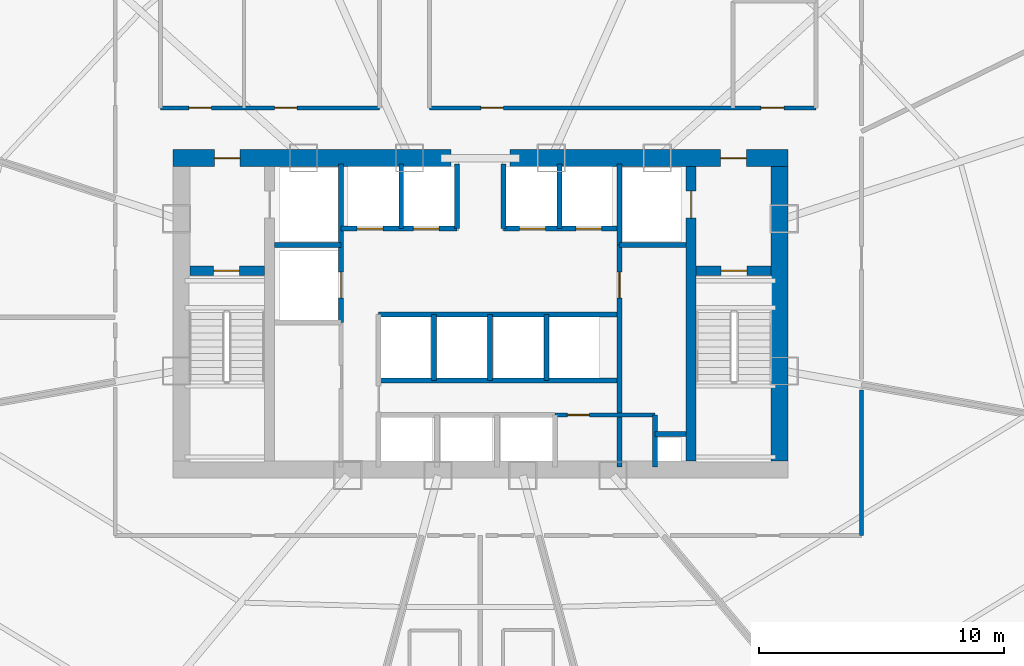
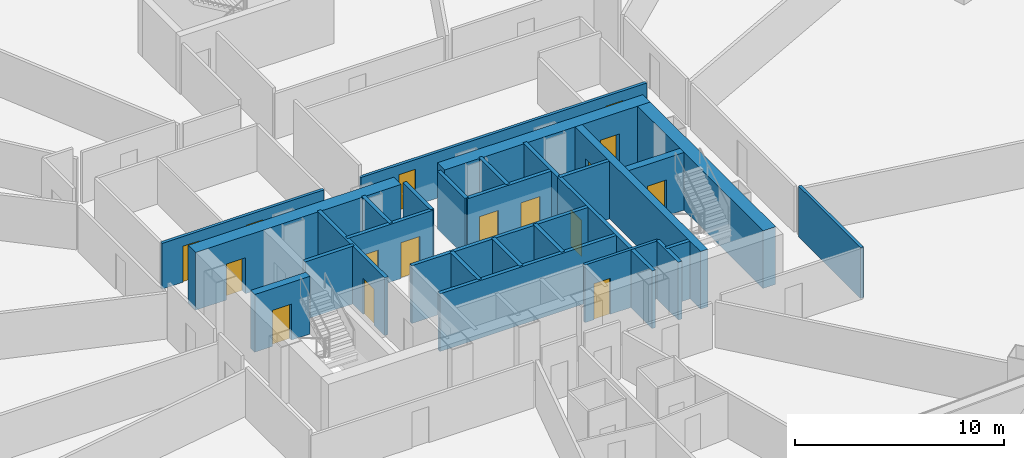
# One storey, part 31 of 38: 28 walls, 16 doors, 16 openings.
"""IFC4 building model written with IfcOpenShell, lengths in metres."""

from ifc_helpers import new_model, si_unit, direction, frame, frame_2d, origin, origin_with_axes, place, context, subcontext, project, spatial, rectangle, extrude, source, transform, mapped, material, layer, layer_set, type_object, element, fill, save


model = new_model("IFC4")

# Units and contexts
model_context = context("Model", 3, precision=1e-05, world=origin(), true_north=direction((0.0, 1.0)))
body_context = subcontext(model_context, "Body", "Model", "MODEL_VIEW")
ifc_project = project(units=[si_unit("LENGTHUNIT", "METRE"), si_unit("AREAUNIT", "SQUARE_METRE"), si_unit("VOLUMEUNIT", "CUBIC_METRE"), si_unit("PLANEANGLEUNIT", "RADIAN"), si_unit("MASSUNIT", "GRAM", prefix="KILO"), si_unit("THERMODYNAMICTEMPERATUREUNIT", "KELVIN"), si_unit("POWERUNIT", "WATT")], contexts=[model_context])

# Site, building, storey
site_placement = place(None, origin())
site = spatial("IfcSite", under=ifc_project, at=site_placement, CompositionType="ELEMENT")
building_placement = place(site_placement, origin())
building = spatial("IfcBuilding", under=site, at=building_placement, Name="Yunzhuo Pagoda Commons", CompositionType="ELEMENT")
storey_placement = place(building_placement, frame((0.0, 0.0, 30.39990234375)))
storey = spatial("IfcBuildingStorey", under=building, at=storey_placement, Name="L07", CompositionType="ELEMENT", Elevation=30.39990234375)

# Wall, opening, door
ifc_material_1 = material(Name="Concrete C60", Category="concrete")
ifc_layer_1 = layer(ifc_material_1, 0.699951171875)
ifc_layer_set_1 = layer_set([ifc_layer_1], Name="Concrete C60")
wall_type_1 = type_object("IfcWallType", Name="W-C01 Lower Core Shear Wall 700", PredefinedType="SHEAR", material=ifc_layer_set_1)
wall_1_placement = place(storey_placement, frame((35.449951171875, 40.199951171875, 0.0), z_axis=(0.0, 0.0, 1.0), x_axis=(1.0, 0.0, 0.0)))
wall_1 = element("IfcWall", 1, at=wall_1_placement, inside=storey, type_object=wall_type_1, Name="L07 core shear wall NW", PredefinedType="SHEAR", context=body_context, shape_type="SweptSolid", body=[
    extrude(rectangle(XDim=11.35009765625, YDim=0.699951171875, at=frame_2d((5.675048828125, 0.0))), origin(), (0.0, 0.0, 1.0), 3.3701171875),
])
opening_1_placement = place(wall_1_placement, frame((1.699951171875, 0.0, 0.0)))
opening_1 = element("IfcOpeningElement", 2, at=opening_1_placement, cuts=wall_1, Name="Opening D-02", PredefinedType="OPENING", context=body_context, shape_type="SweptSolid", body=[
    extrude(rectangle(XDim=1.050048828125, YDim=2.10009765625, at=frame_2d((0.52490234375, 1.050048828125))), frame((0.0, 0.35986328125, 0.0), z_axis=(0.0, -1.0, 0.0), x_axis=(1.0, 0.0, 0.0)), (0.0, 0.0, 1.0), 0.719970703125),
])
ifc_material_2 = material(Name="Galvanized fire-resisting metal leaf")
door_type_1 = type_object("IfcDoorType", Name="D-02 Firefighting Lobby & Refuge Fire Door 1050x2100", OperationType="NOTDEFINED", PredefinedType="DOOR", material=ifc_material_2)
shared_shape_1 = source(origin(), body_context, "Body", "SweptSolid", [
    extrude(rectangle(XDim=1.050048828125, YDim=2.10009765625, at=frame_2d((0.52490234375, 1.050048828125))), frame((0.0, 0.02490234375, 0.0), z_axis=(0.0, -1.0, 0.0), x_axis=(1.0, 0.0, 0.0)), (0.0, 0.0, 1.0), 0.050048828125),
])
door_1_placement = place(opening_1_placement, frame((1.050048828125, 0.0, 0.0), z_axis=(0.0, 0.0, 1.0), x_axis=(-1.0, 0.0, 0.0)))
door_1 = element("IfcDoor", 3, at=door_1_placement, inside=storey, type_object=door_type_1, Name="L07 Firefighting Lobby 1 fire door", OperationType="SINGLE_SWING_LEFT", OverallHeight=2.10009765625, OverallWidth=1.050048828125, PredefinedType="DOOR", context=body_context, shape_type="MappedRepresentation", body=[
    mapped(shared_shape_1, transform((0.0, 0.0, 0.0), scale=1.0)),
])
fill(opening_1, door_1)

wall_2_placement = place(storey_placement, frame((49.199951171875, 40.199951171875, 0.0), z_axis=(0.0, 0.0, 1.0), x_axis=(1.0, 0.0, 0.0)))
wall_2 = element("IfcWall", 4, at=wall_2_placement, inside=storey, type_object=wall_type_1, Name="L07 core shear wall NE", PredefinedType="SHEAR", context=body_context, shape_type="SweptSolid", body=[
    extrude(rectangle(XDim=11.35009765625, YDim=0.699951171875, at=frame_2d((5.675048828125, 0.0))), origin(), (0.0, 0.0, 1.0), 3.3701171875),
])
opening_2_placement = place(wall_2_placement, frame((8.60009765625, 0.0, 0.0)))
opening_2 = element("IfcOpeningElement", 5, at=opening_2_placement, cuts=wall_2, Name="Opening D-02", PredefinedType="OPENING", context=body_context, shape_type="SweptSolid", body=[
    extrude(rectangle(XDim=1.050048828125, YDim=2.10009765625, at=frame_2d((0.52490234375, 1.050048828125))), frame((0.0, 0.35986328125, 0.0), z_axis=(0.0, -1.0, 0.0), x_axis=(1.0, 0.0, 0.0)), (0.0, 0.0, 1.0), 0.719970703125),
])
door_2_placement = place(opening_2_placement, frame((1.050048828125, 0.0, 0.0), z_axis=(0.0, 0.0, 1.0), x_axis=(-1.0, 0.0, 0.0)))
door_2 = element("IfcDoor", 6, at=door_2_placement, inside=storey, type_object=door_type_1, Name="L07 Firefighting Lobby 2 fire door", OperationType="SINGLE_SWING_RIGHT", OverallHeight=2.10009765625, OverallWidth=1.050048828125, PredefinedType="DOOR", context=body_context, shape_type="MappedRepresentation", body=[
    mapped(shared_shape_1, transform((0.0, 0.0, 0.0), scale=1.0)),
])
fill(opening_2, door_2)

# Wall
wall_3_placement = place(storey_placement, frame((60.199951171875, 27.85009765625, 0.0), z_axis=(0.0, 0.0, 1.0), x_axis=(0.0, 1.0, 0.0)))
element("IfcWall", 7, at=wall_3_placement, inside=storey, type_object=wall_type_1, Name="L07 core shear wall E", PredefinedType="SHEAR", context=body_context, shape_type="SweptSolid", body=[
    extrude(rectangle(XDim=12.0, YDim=0.699951171875, at=frame_2d((6.0, 0.0))), origin(), (0.0, 0.0, 1.0), 3.3701171875),
])

# Wall, opening, door
ifc_material_3 = material(Name="Gypsum plasterboard on acoustic stud")
ifc_layer_2 = layer(ifc_material_3, 0.159912109375)
ifc_layer_set_2 = layer_set([ifc_layer_2], Name="Gypsum plasterboard on acoustic stud")
wall_type_2 = type_object("IfcWallType", Name="W-COR1 Tower Rated Corridor Wall 160", PredefinedType="PARTITIONING", material=ifc_layer_set_2)
wall_4_placement = place(storey_placement, frame((51.050048828125, 29.719970703125, 0.0), z_axis=(0.0, 0.0, 1.0), x_axis=(1.0, 0.0, 0.0)))
wall_4 = element("IfcWall", 8, at=wall_4_placement, inside=storey, type_object=wall_type_2, Name="L07 interior wall IW-L07-CSES", PredefinedType="PARTITIONING", context=body_context, shape_type="SweptSolid", body=[
    extrude(rectangle(XDim=4.070068359375, YDim=0.159912109375, at=frame_2d((2.03515625, 0.0))), origin(), (0.0, 0.0, 1.0), 3.3701171875),
])
opening_3_placement = place(wall_4_placement, frame((0.5, 0.0, 0.0)))
opening_3 = element("IfcOpeningElement", 9, at=opening_3_placement, cuts=wall_4, Name="Opening D-03", PredefinedType="OPENING", context=body_context, shape_type="SweptSolid", body=[
    extrude(rectangle(XDim=0.89990234375, YDim=2.10009765625, at=frame_2d((0.449951171875, 1.050048828125))), frame((0.0, 0.08984375, 0.0), z_axis=(0.0, -1.0, 0.0), x_axis=(1.0, 0.0, 0.0)), (0.0, 0.0, 1.0), 0.179931640625),
])
door_type_2 = type_object("IfcDoorType", Name="D-03 Core Service Fire Door 900x2100", OperationType="NOTDEFINED", PredefinedType="DOOR", material=ifc_material_2)
shared_shape_2 = source(origin(), body_context, "Body", "SweptSolid", [
    extrude(rectangle(XDim=0.89990234375, YDim=2.10009765625, at=frame_2d((0.449951171875, 1.050048828125))), frame((0.0, 0.02490234375, 0.0), z_axis=(0.0, -1.0, 0.0), x_axis=(1.0, 0.0, 0.0)), (0.0, 0.0, 1.0), 0.050048828125),
])
door_3_placement = place(opening_3_placement, origin_with_axes())
door_3 = element("IfcDoor", 10, at=door_3_placement, inside=storey, type_object=door_type_2, Name="L07 cleaner store door", OperationType="SINGLE_SWING_LEFT", OverallHeight=2.10009765625, OverallWidth=0.89990234375, PredefinedType="DOOR", context=body_context, shape_type="MappedRepresentation", body=[
    mapped(shared_shape_2, transform((0.0, 0.0, 0.0), scale=1.0)),
])
fill(opening_3, door_3)

# Wall, openings, doors
wall_5_placement = place(storey_placement, frame((34.949951171875, 42.25, 0.0), z_axis=(0.0, 0.0, 1.0), x_axis=(1.0, 0.0, 0.0)))
wall_5 = element("IfcWall", 11, at=wall_5_placement, inside=storey, type_object=wall_type_2, Name="L07 interior wall IW-L07-ISLWS", PredefinedType="PARTITIONING", context=body_context, shape_type="SweptSolid", body=[
    extrude(rectangle(XDim=8.929931640625, YDim=0.159912109375, at=frame_2d((4.46484375, 0.0))), origin(), (0.0, 0.0, 1.0), 2.670166015625),
])
opening_4_placement = place(wall_5_placement, frame((1.14990234375, 0.0, 0.0)))
opening_4 = element("IfcOpeningElement", 12, at=opening_4_placement, cuts=wall_5, Name="Opening D-04", PredefinedType="OPENING", context=body_context, shape_type="SweptSolid", body=[
    extrude(rectangle(XDim=0.919921875, YDim=2.10009765625, at=frame_2d((0.4599609375, 1.050048828125))), frame((0.0, 0.08984375, 0.0), z_axis=(0.0, -1.0, 0.0), x_axis=(1.0, 0.0, 0.0)), (0.0, 0.0, 1.0), 0.179931640625),
])
opening_5_placement = place(wall_5_placement, frame((4.64990234375, 0.0, 0.0)))
opening_5 = element("IfcOpeningElement", 13, at=opening_5_placement, cuts=wall_5, Name="Opening D-04", PredefinedType="OPENING", context=body_context, shape_type="SweptSolid", body=[
    extrude(rectangle(XDim=0.919921875, YDim=2.10009765625, at=frame_2d((0.4599609375, 1.050048828125))), frame((0.0, 0.08984375, 0.0), z_axis=(0.0, -1.0, 0.0), x_axis=(1.0, 0.0, 0.0)), (0.0, 0.0, 1.0), 0.179931640625),
])
ifc_material_4 = material(Name="Powder-coated aluminium and timber acoustic leaf", Category="wood")
door_type_3 = type_object("IfcDoorType", Name="D-04 Bedroom & Study Interior Door 920x2100", OperationType="NOTDEFINED", PredefinedType="DOOR", material=ifc_material_4)
shared_shape_3 = source(origin(), body_context, "Body", "SweptSolid", [
    extrude(rectangle(XDim=0.919921875, YDim=2.10009765625, at=frame_2d((0.4599609375, 1.050048828125))), frame((0.0, 0.02490234375, 0.0), z_axis=(0.0, -1.0, 0.0), x_axis=(1.0, 0.0, 0.0)), (0.0, 0.0, 1.0), 0.050048828125),
])
door_4_placement = place(opening_4_placement, frame((0.919921875, 0.0, 0.0), z_axis=(0.0, 0.0, 1.0), x_axis=(-1.0, 0.0, 0.0)))
door_4 = element("IfcDoor", 14, at=door_4_placement, inside=storey, type_object=door_type_3, Name="L07 laundry door", OperationType="SINGLE_SWING_LEFT", OverallHeight=2.10009765625, OverallWidth=0.919921875, PredefinedType="DOOR", context=body_context, shape_type="MappedRepresentation", body=[
    mapped(shared_shape_3, transform((0.0, 0.0, 0.0), scale=1.0)),
])
fill(opening_4, door_4)
door_5_placement = place(opening_5_placement, frame((0.919921875, 0.0, 0.0), z_axis=(0.0, 0.0, 1.0), x_axis=(-1.0, 0.0, 0.0)))
door_5 = element("IfcDoor", 15, at=door_5_placement, inside=storey, type_object=door_type_3, Name="L07 study commons W door", OperationType="SINGLE_SWING_RIGHT", OverallHeight=2.10009765625, OverallWidth=0.919921875, PredefinedType="DOOR", context=body_context, shape_type="MappedRepresentation", body=[
    mapped(shared_shape_3, transform((0.0, 0.0, 0.0), scale=1.0)),
])
fill(opening_5, door_5)

wall_6_placement = place(storey_placement, frame((45.919921875, 42.25, 0.0), z_axis=(0.0, 0.0, 1.0), x_axis=(1.0, 0.0, 0.0)))
wall_6 = element("IfcWall", 16, at=wall_6_placement, inside=storey, type_object=wall_type_2, Name="L07 interior wall IW-L07-ISLES", PredefinedType="PARTITIONING", context=body_context, shape_type="SweptSolid", body=[
    extrude(rectangle(XDim=15.780029296875, YDim=0.159912109375, at=frame_2d((7.89013671875, 0.0))), origin(), (0.0, 0.0, 1.0), 2.670166015625),
])
opening_6_placement = place(wall_6_placement, frame((2.10009765625, 0.0, 0.0)))
opening_6 = element("IfcOpeningElement", 17, at=opening_6_placement, cuts=wall_6, Name="Opening D-04", PredefinedType="OPENING", context=body_context, shape_type="SweptSolid", body=[
    extrude(rectangle(XDim=0.919921875, YDim=2.10009765625, at=frame_2d((0.4599609375, 1.050048828125))), frame((0.0, 0.08984375, 0.0), z_axis=(0.0, -1.0, 0.0), x_axis=(1.0, 0.0, 0.0)), (0.0, 0.0, 1.0), 0.179931640625),
])
opening_7_placement = place(wall_6_placement, frame((13.530029296875, 0.0, 0.0)))
opening_7 = element("IfcOpeningElement", 18, at=opening_7_placement, cuts=wall_6, Name="Opening D-11", PredefinedType="OPENING", context=body_context, shape_type="SweptSolid", body=[
    extrude(rectangle(XDim=0.93994140625, YDim=2.10009765625, at=frame_2d((0.469970703125, 1.050048828125))), frame((0.0, 0.08984375, 0.0), z_axis=(0.0, -1.0, 0.0), x_axis=(1.0, 0.0, 0.0)), (0.0, 0.0, 1.0), 0.179931640625),
])
door_type_4 = type_object("IfcDoorType", Name="D-11 Accessible Washroom Fire Door 940x2100", OperationType="NOTDEFINED", PredefinedType="DOOR", material=ifc_material_2)
shared_shape_4 = source(origin(), body_context, "Body", "SweptSolid", [
    extrude(rectangle(XDim=0.93994140625, YDim=2.10009765625, at=frame_2d((0.469970703125, 1.050048828125))), frame((0.0, 0.02490234375, 0.0), z_axis=(0.0, -1.0, 0.0), x_axis=(1.0, 0.0, 0.0)), (0.0, 0.0, 1.0), 0.050048828125),
])
door_6_placement = place(opening_7_placement, frame((0.93994140625, 0.0, 0.0), z_axis=(0.0, 0.0, 1.0), x_axis=(-1.0, 0.0, 0.0)))
door_6 = element("IfcDoor", 19, at=door_6_placement, inside=storey, type_object=door_type_4, Name="L07 accessible WC door", OperationType="SINGLE_SWING_RIGHT", OverallHeight=2.10009765625, OverallWidth=0.93994140625, PredefinedType="DOOR", context=body_context, shape_type="MappedRepresentation", body=[
    mapped(shared_shape_4, transform((0.0, 0.0, 0.0), scale=1.0)),
])
fill(opening_7, door_6)
door_7_placement = place(opening_6_placement, frame((0.919921875, 0.0, 0.0), z_axis=(0.0, 0.0, 1.0), x_axis=(-1.0, 0.0, 0.0)))
door_7 = element("IfcDoor", 20, at=door_7_placement, inside=storey, type_object=door_type_3, Name="L07 reading commons door", OperationType="SINGLE_SWING_LEFT", OverallHeight=2.10009765625, OverallWidth=0.919921875, PredefinedType="DOOR", context=body_context, shape_type="MappedRepresentation", body=[
    mapped(shared_shape_3, transform((0.0, 0.0, 0.0), scale=1.0)),
])
fill(opening_6, door_7)

# Wall
wall_7_placement = place(storey_placement, frame((63.550048828125, 30.734619140625, 0.0), z_axis=(0.0, 0.0, 1.0), x_axis=(0.0, -1.0, 0.0)))
element("IfcWall", 21, at=wall_7_placement, inside=storey, type_object=wall_type_2, Name="L07 interior wall IW-L07-CWL16", PredefinedType="PARTITIONING", context=body_context, shape_type="SweptSolid", body=[
    extrude(rectangle(XDim=5.9345703125, YDim=0.159912109375, at=frame_2d((2.96728515625, 0.0))), origin(), (0.0, 0.0, 1.0), 2.97021484375),
])

# Wall, opening, door
ifc_layer_3 = layer(ifc_material_1, 0.39990234375)
ifc_layer_set_3 = layer_set([ifc_layer_3], Name="Concrete C60")
wall_type_3 = type_object("IfcWallType", Name="W-S01 Internal Core Shear Web 400", PredefinedType="SHEAR", material=ifc_layer_set_3)
wall_8_placement = place(storey_placement, frame((56.60009765625, 27.85009765625, 0.0), z_axis=(0.0, 0.0, 1.0), x_axis=(0.0, 1.0, 0.0)))
wall_8 = element("IfcWall", 22, at=wall_8_placement, inside=storey, type_object=wall_type_3, Name="L07 core shear wall WEBE", PredefinedType="SHEAR", context=body_context, shape_type="SweptSolid", body=[
    extrude(rectangle(XDim=12.0, YDim=0.39990234375, at=frame_2d((6.0, 0.0))), origin(), (0.0, 0.0, 1.0), 3.3701171875),
])
opening_8_placement = place(wall_8_placement, frame((9.89990234375, 0.0, 0.0)))
opening_8 = element("IfcOpeningElement", 23, at=opening_8_placement, cuts=wall_8, Name="Opening LD-01", PredefinedType="OPENING", context=body_context, shape_type="SweptSolid", body=[
    extrude(rectangle(XDim=1.10009765625, YDim=2.10009765625, at=frame_2d((0.550048828125, 1.050048828125))), frame((0.0, 0.2099609375, 0.0), z_axis=(0.0, -1.0, 0.0), x_axis=(1.0, 0.0, 0.0)), (0.0, 0.0, 1.0), 0.419921875),
])
door_type_5 = type_object("IfcDoorType", Name="LD-01 Firefighting Lift Landing Door 1100x2100", OperationType="DOUBLE_DOOR_SLIDING", PredefinedType="DOOR", material=ifc_material_2)
shared_shape_5 = source(origin(), body_context, "Body", "SweptSolid", [
    extrude(rectangle(XDim=1.10009765625, YDim=2.10009765625, at=frame_2d((0.550048828125, 1.050048828125))), frame((0.0, 0.02490234375, 0.0), z_axis=(0.0, -1.0, 0.0), x_axis=(1.0, 0.0, 0.0)), (0.0, 0.0, 1.0), 0.050048828125),
])
door_8_placement = place(opening_8_placement, origin_with_axes())
door_8 = element("IfcDoor", 24, at=door_8_placement, inside=storey, type_object=door_type_5, Name="L07 Firefighting lift FL-2 landing door", OperationType="DOUBLE_DOOR_SLIDING", OverallHeight=2.10009765625, OverallWidth=1.10009765625, PredefinedType="DOOR", context=body_context, shape_type="MappedRepresentation", body=[
    mapped(shared_shape_5, transform((0.0, 0.0, 0.0), scale=1.0)),
])
fill(opening_8, door_8)

wall_9_placement = place(storey_placement, frame((36.14990234375, 35.60009765625, 0.0), z_axis=(0.0, 0.0, 1.0), x_axis=(1.0, 0.0, 0.0)))
wall_9 = element("IfcWall", 25, at=wall_9_placement, inside=storey, type_object=wall_type_3, Name="L07 core shear wall STW", PredefinedType="SHEAR", context=body_context, shape_type="SweptSolid", body=[
    extrude(rectangle(XDim=3.050048828125, YDim=0.39990234375, at=frame_2d((1.52490234375, 0.0))), origin(), (0.0, 0.0, 1.0), 3.3701171875),
])
opening_9_placement = place(wall_9_placement, frame((0.969970703125, 0.0, 0.0)))
opening_9 = element("IfcOpeningElement", 26, at=opening_9_placement, cuts=wall_9, Name="Opening D-01", PredefinedType="OPENING", context=body_context, shape_type="SweptSolid", body=[
    extrude(rectangle(XDim=1.050048828125, YDim=2.10009765625, at=frame_2d((0.52490234375, 1.050048828125))), frame((0.0, 0.2099609375, 0.0), z_axis=(0.0, -1.0, 0.0), x_axis=(1.0, 0.0, 0.0)), (0.0, 0.0, 1.0), 0.419921875),
])
door_type_6 = type_object("IfcDoorType", Name="D-01 Smokeproof Stair Fire Door 1050x2100", OperationType="NOTDEFINED", PredefinedType="DOOR", material=ifc_material_2)
door_9_placement = place(opening_9_placement, frame((1.050048828125, 0.0, 0.0), z_axis=(0.0, 0.0, 1.0), x_axis=(-1.0, 0.0, 0.0)))
door_9 = element("IfcDoor", 27, at=door_9_placement, inside=storey, type_object=door_type_6, Name="L07 Stair ST1 fire door", OperationType="SINGLE_SWING_LEFT", OverallHeight=2.10009765625, OverallWidth=1.050048828125, PredefinedType="DOOR", context=body_context, shape_type="MappedRepresentation", body=[
    mapped(shared_shape_1, transform((0.0, 0.0, 0.0), scale=1.0)),
])
fill(opening_9, door_9)

wall_10_placement = place(storey_placement, frame((56.800048828125, 35.60009765625, 0.0), z_axis=(0.0, 0.0, 1.0), x_axis=(1.0, 0.0, 0.0)))
wall_10 = element("IfcWall", 28, at=wall_10_placement, inside=storey, type_object=wall_type_3, Name="L07 core shear wall STE", PredefinedType="SHEAR", context=body_context, shape_type="SweptSolid", body=[
    extrude(rectangle(XDim=3.050048828125, YDim=0.39990234375, at=frame_2d((1.52490234375, 0.0))), origin(), (0.0, 0.0, 1.0), 3.3701171875),
])
opening_10_placement = place(wall_10_placement, frame((1.02001953125, 0.0, 0.0)))
opening_10 = element("IfcOpeningElement", 29, at=opening_10_placement, cuts=wall_10, Name="Opening D-01", PredefinedType="OPENING", context=body_context, shape_type="SweptSolid", body=[
    extrude(rectangle(XDim=1.050048828125, YDim=2.10009765625, at=frame_2d((0.52490234375, 1.050048828125))), frame((0.0, 0.2099609375, 0.0), z_axis=(0.0, -1.0, 0.0), x_axis=(1.0, 0.0, 0.0)), (0.0, 0.0, 1.0), 0.419921875),
])
door_10_placement = place(opening_10_placement, frame((1.050048828125, 0.0, 0.0), z_axis=(0.0, 0.0, 1.0), x_axis=(-1.0, 0.0, 0.0)))
door_10 = element("IfcDoor", 30, at=door_10_placement, inside=storey, type_object=door_type_6, Name="L07 Stair ST2 fire door", OperationType="SINGLE_SWING_RIGHT", OverallHeight=2.10009765625, OverallWidth=1.050048828125, PredefinedType="DOOR", context=body_context, shape_type="MappedRepresentation", body=[
    mapped(shared_shape_1, transform((0.0, 0.0, 0.0), scale=1.0)),
])
fill(opening_10, door_10)

ifc_material_5 = material(Name="Concrete C40", Category="concrete")
ifc_layer_4 = layer(ifc_material_5, 0.199951171875)
ifc_layer_set_4 = layer_set([ifc_layer_4], Name="Concrete C40")
wall_type_4 = type_object("IfcWallType", Name="W-SHF Shaft & Stair Enclosure Wall 200", PredefinedType="SOLIDWALL", material=ifc_layer_set_4)
wall_11_placement = place(storey_placement, frame((42.320068359375, 33.5, 0.0), z_axis=(0.0, 0.0, 1.0), x_axis=(0.0, 1.0, 0.0)))
wall_11 = element("IfcWall", 31, at=wall_11_placement, inside=storey, type_object=wall_type_4, Name="L07 interior wall IW-L07-FL1E", PredefinedType="SOLIDWALL", context=body_context, shape_type="SweptSolid", body=[
    extrude(rectangle(XDim=6.449951171875, YDim=0.199951171875, at=frame_2d((3.22509765625, 0.0))), origin(), (0.0, 0.0, 1.0), 3.3701171875),
])
opening_11_placement = place(wall_11_placement, frame((1.0, 0.0, 0.0)))
opening_11 = element("IfcOpeningElement", 32, at=opening_11_placement, cuts=wall_11, Name="Opening LD-02", PredefinedType="OPENING", context=body_context, shape_type="SweptSolid", body=[
    extrude(rectangle(XDim=1.050048828125, YDim=2.10009765625, at=frame_2d((0.52490234375, 1.050048828125))), frame((0.0, 0.10986328125, 0.0), z_axis=(0.0, -1.0, 0.0), x_axis=(1.0, 0.0, 0.0)), (0.0, 0.0, 1.0), 0.219970703125),
])
door_type_7 = type_object("IfcDoorType", Name="LD-02 Passenger Lift Landing Door 1050x2100", OperationType="DOUBLE_DOOR_SLIDING", PredefinedType="DOOR", material=ifc_material_2)
door_11_placement = place(opening_11_placement, origin_with_axes())
door_11 = element("IfcDoor", 33, at=door_11_placement, inside=storey, type_object=door_type_7, Name="L07 Service lift SL-1 landing door", OperationType="DOUBLE_DOOR_SLIDING", OverallHeight=2.10009765625, OverallWidth=1.050048828125, PredefinedType="DOOR", context=body_context, shape_type="MappedRepresentation", body=[
    mapped(shared_shape_1, transform((0.0, 0.0, 0.0), scale=1.0)),
])
fill(opening_11, door_11)

# Walls
wall_12_placement = place(storey_placement, frame((39.60009765625, 36.64990234375, 0.0), z_axis=(0.0, 0.0, 1.0), x_axis=(1.0, 0.0, 0.0)))
element("IfcWall", 34, at=wall_12_placement, inside=storey, type_object=wall_type_4, Name="L07 interior wall IW-L07-FL1S", PredefinedType="SOLIDWALL", context=body_context, shape_type="SweptSolid", body=[
    extrude(rectangle(XDim=2.719970703125, YDim=0.199951171875, at=frame_2d((1.35986328125, 0.0))), origin(), (0.0, 0.0, 1.0), 3.3701171875),
])
wall_13_placement = place(storey_placement, frame((53.679931640625, 36.64990234375, 0.0), z_axis=(0.0, 0.0, 1.0), x_axis=(0.0, 1.0, 0.0)))
element("IfcWall", 35, at=wall_13_placement, inside=storey, type_object=wall_type_4, Name="L07 interior wall IW-L07-FL2W", PredefinedType="SOLIDWALL", context=body_context, shape_type="SweptSolid", body=[
    extrude(rectangle(XDim=3.300048828125, YDim=0.199951171875, at=frame_2d((1.64990234375, 0.0))), origin(), (0.0, 0.0, 1.0), 3.3701171875),
])
wall_14_placement = place(storey_placement, frame((53.679931640625, 36.64990234375, 0.0), z_axis=(0.0, 0.0, 1.0), x_axis=(1.0, 0.0, 0.0)))
element("IfcWall", 36, at=wall_14_placement, inside=storey, type_object=wall_type_4, Name="L07 interior wall IW-L07-FL2S", PredefinedType="SOLIDWALL", context=body_context, shape_type="SweptSolid", body=[
    extrude(rectangle(XDim=2.719970703125, YDim=0.199951171875, at=frame_2d((1.35986328125, 0.0))), origin(), (0.0, 0.0, 1.0), 3.3701171875),
])

# Wall, openings, doors
wall_15_placement = place(storey_placement, frame((42.320068359375, 37.320068359375, 0.0), z_axis=(0.0, 0.0, 1.0), x_axis=(1.0, 0.0, 0.0)))
wall_15 = element("IfcWall", 37, at=wall_15_placement, inside=storey, type_object=wall_type_4, Name="L07 interior wall IW-L07-LBNW", PredefinedType="SOLIDWALL", context=body_context, shape_type="SweptSolid", body=[
    extrude(rectangle(XDim=4.72998046875, YDim=0.199951171875, at=frame_2d((2.364990234375, 0.0))), origin(), (0.0, 0.0, 1.0), 3.3701171875),
])
opening_12_placement = place(wall_15_placement, frame((0.64990234375, 0.0, 0.0)))
opening_12 = element("IfcOpeningElement", 38, at=opening_12_placement, cuts=wall_15, Name="Opening LD-02", PredefinedType="OPENING", context=body_context, shape_type="SweptSolid", body=[
    extrude(rectangle(XDim=1.050048828125, YDim=2.10009765625, at=frame_2d((0.52490234375, 1.050048828125))), frame((0.0, 0.10986328125, 0.0), z_axis=(0.0, -1.0, 0.0), x_axis=(1.0, 0.0, 0.0)), (0.0, 0.0, 1.0), 0.219970703125),
])
opening_13_placement = place(wall_15_placement, frame((2.949951171875, 0.0, 0.0)))
opening_13 = element("IfcOpeningElement", 39, at=opening_13_placement, cuts=wall_15, Name="Opening LD-02", PredefinedType="OPENING", context=body_context, shape_type="SweptSolid", body=[
    extrude(rectangle(XDim=1.050048828125, YDim=2.10009765625, at=frame_2d((0.52490234375, 1.050048828125))), frame((0.0, 0.10986328125, 0.0), z_axis=(0.0, -1.0, 0.0), x_axis=(1.0, 0.0, 0.0)), (0.0, 0.0, 1.0), 0.219970703125),
])
door_12_placement = place(opening_12_placement, frame((1.050048828125, 0.0, 0.0), z_axis=(0.0, 0.0, 1.0), x_axis=(-1.0, 0.0, 0.0)))
door_12 = element("IfcDoor", 40, at=door_12_placement, inside=storey, type_object=door_type_7, Name="L07 Passenger lift PL-L1 landing door", OperationType="DOUBLE_DOOR_SLIDING", OverallHeight=2.10009765625, OverallWidth=1.050048828125, PredefinedType="DOOR", context=body_context, shape_type="MappedRepresentation", body=[
    mapped(shared_shape_1, transform((0.0, 0.0, 0.0), scale=1.0)),
])
fill(opening_12, door_12)
door_13_placement = place(opening_13_placement, frame((1.050048828125, 0.0, 0.0), z_axis=(0.0, 0.0, 1.0), x_axis=(-1.0, 0.0, 0.0)))
door_13 = element("IfcDoor", 41, at=door_13_placement, inside=storey, type_object=door_type_7, Name="L07 Passenger lift PL-L2 landing door", OperationType="DOUBLE_DOOR_SLIDING", OverallHeight=2.10009765625, OverallWidth=1.050048828125, PredefinedType="DOOR", context=body_context, shape_type="MappedRepresentation", body=[
    mapped(shared_shape_1, transform((0.0, 0.0, 0.0), scale=1.0)),
])
fill(opening_13, door_13)

wall_16_placement = place(storey_placement, frame((48.949951171875, 37.320068359375, 0.0), z_axis=(0.0, 0.0, 1.0), x_axis=(1.0, 0.0, 0.0)))
wall_16 = element("IfcWall", 42, at=wall_16_placement, inside=storey, type_object=wall_type_4, Name="L07 interior wall IW-L07-LBNE", PredefinedType="SOLIDWALL", context=body_context, shape_type="SweptSolid", body=[
    extrude(rectangle(XDim=4.72998046875, YDim=0.199951171875, at=frame_2d((2.364990234375, 0.0))), origin(), (0.0, 0.0, 1.0), 3.3701171875),
])
opening_14_placement = place(wall_16_placement, frame((0.64990234375, 0.0, 0.0)))
opening_14 = element("IfcOpeningElement", 43, at=opening_14_placement, cuts=wall_16, Name="Opening LD-02", PredefinedType="OPENING", context=body_context, shape_type="SweptSolid", body=[
    extrude(rectangle(XDim=1.050048828125, YDim=2.10009765625, at=frame_2d((0.52490234375, 1.050048828125))), frame((0.0, 0.10986328125, 0.0), z_axis=(0.0, -1.0, 0.0), x_axis=(1.0, 0.0, 0.0)), (0.0, 0.0, 1.0), 0.219970703125),
])
opening_15_placement = place(wall_16_placement, frame((2.949951171875, 0.0, 0.0)))
opening_15 = element("IfcOpeningElement", 44, at=opening_15_placement, cuts=wall_16, Name="Opening LD-02", PredefinedType="OPENING", context=body_context, shape_type="SweptSolid", body=[
    extrude(rectangle(XDim=1.050048828125, YDim=2.10009765625, at=frame_2d((0.52490234375, 1.050048828125))), frame((0.0, 0.10986328125, 0.0), z_axis=(0.0, -1.0, 0.0), x_axis=(1.0, 0.0, 0.0)), (0.0, 0.0, 1.0), 0.219970703125),
])
door_14_placement = place(opening_14_placement, frame((1.050048828125, 0.0, 0.0), z_axis=(0.0, 0.0, 1.0), x_axis=(-1.0, 0.0, 0.0)))
door_14 = element("IfcDoor", 45, at=door_14_placement, inside=storey, type_object=door_type_7, Name="L07 Passenger lift PL-L3 landing door", OperationType="DOUBLE_DOOR_SLIDING", OverallHeight=2.10009765625, OverallWidth=1.050048828125, PredefinedType="DOOR", context=body_context, shape_type="MappedRepresentation", body=[
    mapped(shared_shape_1, transform((0.0, 0.0, 0.0), scale=1.0)),
])
fill(opening_14, door_14)
door_15_placement = place(opening_15_placement, frame((1.050048828125, 0.0, 0.0), z_axis=(0.0, 0.0, 1.0), x_axis=(-1.0, 0.0, 0.0)))
door_15 = element("IfcDoor", 46, at=door_15_placement, inside=storey, type_object=door_type_7, Name="L07 Passenger lift PL-L4 landing door", OperationType="DOUBLE_DOOR_SLIDING", OverallHeight=2.10009765625, OverallWidth=1.050048828125, PredefinedType="DOOR", context=body_context, shape_type="MappedRepresentation", body=[
    mapped(shared_shape_1, transform((0.0, 0.0, 0.0), scale=1.0)),
])
fill(opening_15, door_15)

# Walls
for number, where, z_axis, x_axis, name in (
    (47, (47.050048828125, 37.320068359375, 0.0), (0.0, 0.0, 1.0), (0.0, 1.0, 0.0), "L07 interior wall IW-L07-THRW"),
    (48, (48.949951171875, 37.320068359375, 0.0), (0.0, 0.0, 1.0), (0.0, 1.0, 0.0), "L07 interior wall IW-L07-THRE"),
    (49, (44.77001953125, 37.320068359375, 0.0), (0.0, 0.0, 1.0), (0.0, 1.0, 0.0), "L07 interior wall IW-L07-PLL12"),
    (50, (51.22998046875, 37.320068359375, 0.0), (0.0, 0.0, 1.0), (0.0, 1.0, 0.0), "L07 interior wall IW-L07-PLL34"),
):
    element("IfcWall", number, at=place(storey_placement, frame(where, z_axis=z_axis, x_axis=x_axis)), inside=storey, type_object=wall_type_4, Name=name, PredefinedType="SOLIDWALL", context=body_context, shape_type="SweptSolid", body=[
        extrude(rectangle(XDim=2.6298828125, YDim=0.199951171875, at=frame_2d((1.31494140625, 0.0))), origin(), (0.0, 0.0, 1.0), 3.3701171875),
    ])
wall_17_placement = place(storey_placement, frame((43.85009765625, 33.820068359375, 0.0), z_axis=(0.0, 0.0, 1.0), x_axis=(1.0, 0.0, 0.0)))
element("IfcWall", 51, at=wall_17_placement, inside=storey, type_object=wall_type_4, Name="L07 interior wall IW-L07-MLBS", PredefinedType="SOLIDWALL", context=body_context, shape_type="SweptSolid", body=[
    extrude(rectangle(XDim=9.829833984375, YDim=0.199951171875, at=frame_2d((4.9150390625, 0.0))), origin(), (0.0, 0.0, 1.0), 3.3701171875),
])

# Wall, opening, door
wall_18_placement = place(storey_placement, frame((53.679931640625, 27.60009765625, 0.0), z_axis=(0.0, 0.0, 1.0), x_axis=(0.0, 1.0, 0.0)))
wall_18 = element("IfcWall", 52, at=wall_18_placement, inside=storey, type_object=wall_type_4, Name="L07 interior wall IW-L07-PLME", PredefinedType="SOLIDWALL", context=body_context, shape_type="SweptSolid", body=[
    extrude(rectangle(XDim=9.0498046875, YDim=0.199951171875, at=frame_2d((4.52490234375, 0.0))), origin(), (0.0, 0.0, 1.0), 3.3701171875),
])
opening_16_placement = place(wall_18_placement, frame((6.89990234375, 0.0, 0.0)))
opening_16 = element("IfcOpeningElement", 53, at=opening_16_placement, cuts=wall_18, Name="Opening D-02", PredefinedType="OPENING", context=body_context, shape_type="SweptSolid", body=[
    extrude(rectangle(XDim=1.050048828125, YDim=2.10009765625, at=frame_2d((0.52490234375, 1.050048828125))), frame((0.0, 0.10986328125, 0.0), z_axis=(0.0, -1.0, 0.0), x_axis=(1.0, 0.0, 0.0)), (0.0, 0.0, 1.0), 0.219970703125),
])
door_16_placement = place(opening_16_placement, origin_with_axes())
door_16 = element("IfcDoor", 54, at=door_16_placement, inside=storey, type_object=door_type_1, Name="L07 High-bank lift hall door", OperationType="SINGLE_SWING_RIGHT", OverallHeight=2.10009765625, OverallWidth=1.050048828125, PredefinedType="DOOR", context=body_context, shape_type="MappedRepresentation", body=[
    mapped(shared_shape_1, transform((0.0, 0.0, 0.0), scale=1.0)),
])
fill(opening_16, door_16)

# Walls
for number, where, z_axis, x_axis, name in (
    (55, (46.10009765625, 31.1201171875, 0.0), (0.0, 0.0, 1.0), (0.0, 1.0, 0.0), "L07 interior wall IW-L07-PLMD1"),
    (56, (48.39990234375, 31.1201171875, 0.0), (0.0, 0.0, 1.0), (0.0, 1.0, 0.0), "L07 interior wall IW-L07-PLMD2"),
    (57, (50.699951171875, 31.1201171875, 0.0), (0.0, 0.0, 1.0), (0.0, 1.0, 0.0), "L07 interior wall IW-L07-PLMD3"),
):
    element("IfcWall", number, at=place(storey_placement, frame(where, z_axis=z_axis, x_axis=x_axis)), inside=storey, type_object=wall_type_4, Name=name, PredefinedType="SOLIDWALL", context=body_context, shape_type="SweptSolid", body=[
        extrude(rectangle(XDim=2.699951171875, YDim=0.199951171875, at=frame_2d((1.35009765625, 0.0))), origin(), (0.0, 0.0, 1.0), 3.3701171875),
    ])
wall_19_placement = place(storey_placement, frame((43.85009765625, 31.1201171875, 0.0), z_axis=(0.0, 0.0, 1.0), x_axis=(1.0, 0.0, 0.0)))
element("IfcWall", 58, at=wall_19_placement, inside=storey, type_object=wall_type_4, Name="L07 interior wall IW-L07-PLMS2", PredefinedType="SOLIDWALL", context=body_context, shape_type="SweptSolid", body=[
    extrude(rectangle(XDim=9.829833984375, YDim=0.199951171875, at=frame_2d((4.9150390625, 0.0))), origin(), (0.0, 0.0, 1.0), 3.3701171875),
])
wall_20_placement = place(storey_placement, frame((55.1201171875, 27.60009765625, 0.0), z_axis=(0.0, 0.0, 1.0), x_axis=(0.0, 1.0, 0.0)))
element("IfcWall", 59, at=wall_20_placement, inside=storey, type_object=wall_type_4, Name="L07 interior wall IW-L07-RSHFW", PredefinedType="SOLIDWALL", context=body_context, shape_type="SweptSolid", body=[
    extrude(rectangle(XDim=2.119873046875, YDim=0.199951171875, at=frame_2d((1.06005859375, 0.0))), origin(), (0.0, 0.0, 1.0), 3.3701171875),
])
wall_21_placement = place(storey_placement, frame((55.1201171875, 28.949951171875, 0.0), z_axis=(0.0, 0.0, 1.0), x_axis=(1.0, 0.0, 0.0)))
element("IfcWall", 60, at=wall_21_placement, inside=storey, type_object=wall_type_4, Name="L07 interior wall IW-L07-RSHFN", PredefinedType="SOLIDWALL", context=body_context, shape_type="SweptSolid", body=[
    extrude(rectangle(XDim=1.27978515625, YDim=0.199951171875, at=frame_2d((0.639892578125, 0.0))), origin(), (0.0, 0.0, 1.0), 3.3701171875),
])

save(model, "model.ifc")
